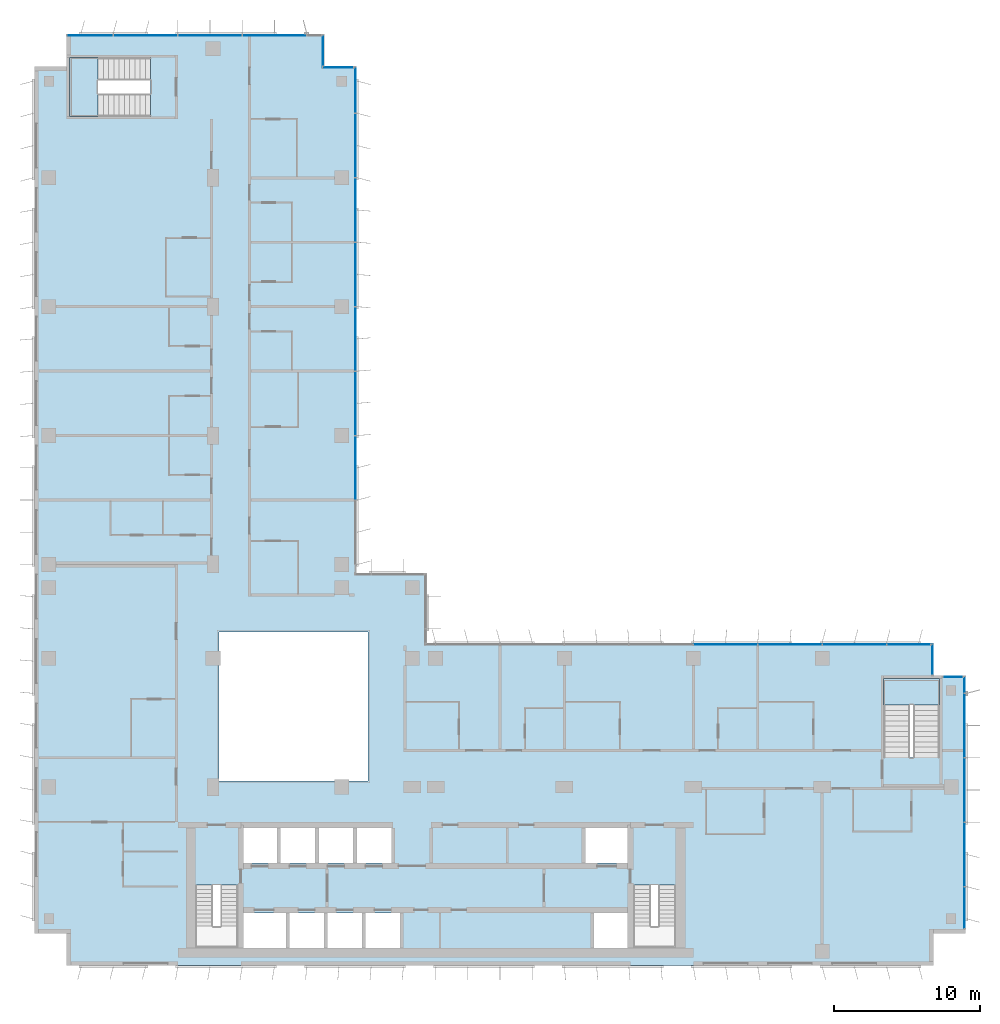
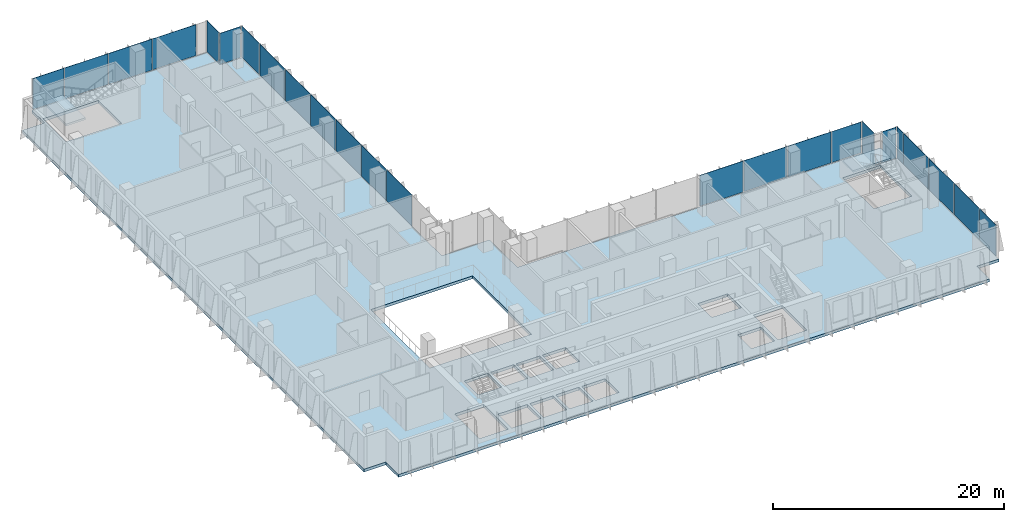
# One storey, part 11 of 21: 24 plates, 3 slabs, 10 elements without a shape of their own.
"""IFC4 building model written with IfcOpenShell, lengths in metres."""

from ifc_helpers import new_model, si_unit, direction, frame, origin, origin_2d, place, context, subcontext, project, spatial, polyline, rectangle, outline, extrude, source, transform, mapped, material, layer, layer_set, type_object, element, aggregate, save


model = new_model("IFC4")

# Units and contexts
model_context = context("Model", 3, precision=1e-05, world=origin(), true_north=direction((0.0, 1.0)))
body_context = subcontext(model_context, "Body", "Model", "MODEL_VIEW")
ifc_project = project(units=[si_unit("LENGTHUNIT", "METRE"), si_unit("AREAUNIT", "SQUARE_METRE"), si_unit("VOLUMEUNIT", "CUBIC_METRE"), si_unit("PLANEANGLEUNIT", "RADIAN"), si_unit("MASSUNIT", "GRAM", prefix="KILO")], contexts=[model_context])

# Site, building, storey
site_placement = place(None, origin())
site = spatial("IfcSite", under=ifc_project, at=site_placement, CompositionType="ELEMENT")
building_placement = place(site_placement, origin())
building = spatial("IfcBuilding", under=site, at=building_placement, Name="Kemantara Hotel Tower", CompositionType="ELEMENT")
storey_placement = place(building_placement, frame((0.0, 0.0, 164.199951171875)))
storey = spatial("IfcBuildingStorey", under=building, at=storey_placement, Name="L40", CompositionType="ELEMENT", Elevation=164.199951171875)

# Slab
ifc_material_1 = material(Name="Concrete fc 40 MPa", Category="concrete")
ifc_layer_1 = layer(ifc_material_1, 0.300048828125)
ifc_layer_set_1 = layer_set([ifc_layer_1], Name="Concrete fc 40 MPa")
slab_type_1 = type_object("IfcSlabType", Name="POST-TENSIONED FLAT PLATE 300", PredefinedType="FLOOR", material=ifc_layer_set_1)
slab_1_placement = place(storey_placement, frame((0.0, 0.0, -0.300048828125)))
element("IfcSlab", 1, at=slab_1_placement, inside=storey, type_object=slab_type_1, Name="FLOOR SLAB L40", PredefinedType="FLOOR", context=body_context, shape_type="SweptSolid", body=[
    extrude(outline(polyline([(22.0, 26.800048828125), (22.0, 61.39990234375), (19.800048828125, 61.39990234375), (19.800048828125, 63.60009765625), (2.199951171875, 63.60009765625), (2.199951171875, 61.39990234375), (0.0, 61.39990234375), (0.0, 2.199951171875), (2.199951171875, 2.199951171875), (2.199951171875, 0.0), (61.39990234375, 0.0), (61.39990234375, 2.199951171875), (63.60009765625, 2.199951171875), (63.60009765625, 19.800048828125), (61.39990234375, 19.800048828125), (61.39990234375, 22.0), (26.800048828125, 22.0), (26.800048828125, 26.800048828125), (22.0, 26.800048828125)]), holes=[polyline([(17.175048828125, 3.60009765625), (17.175048828125, 1.199951171875), (14.22509765625, 1.199951171875), (14.22509765625, 3.60009765625), (17.175048828125, 3.60009765625)]), polyline([(19.77490234375, 1.199951171875), (17.425048828125, 1.199951171875), (17.425048828125, 3.60009765625), (19.77490234375, 3.60009765625), (19.77490234375, 1.199951171875)]), polyline([(11.0, 1.199951171875), (11.0, 5.49951171875), (13.89990234375, 5.49951171875), (13.89990234375, 1.199951171875), (11.0, 1.199951171875)]), polyline([(16.574951171875, 7.0), (14.22509765625, 7.0), (14.22509765625, 9.39990234375), (16.574951171875, 9.39990234375), (16.574951171875, 7.0)]), polyline([(19.175048828125, 7.0), (16.824951171875, 7.0), (16.824951171875, 9.39990234375), (19.175048828125, 9.39990234375), (19.175048828125, 7.0)]), polyline([(21.77490234375, 7.0), (19.425048828125, 7.0), (19.425048828125, 9.39990234375), (21.77490234375, 9.39990234375), (21.77490234375, 7.0)]), polyline([(22.800048828125, 12.60009765625), (12.60009765625, 12.60009765625), (12.60009765625, 22.800048828125), (22.800048828125, 22.800048828125), (22.800048828125, 12.60009765625)]), polyline([(2.39990234375, 62.0), (7.949462890625, 62.0), (7.949462890625, 58.0), (2.39990234375, 58.0), (2.39990234375, 62.0)]), polyline([(22.375, 1.199951171875), (20.02490234375, 1.199951171875), (20.02490234375, 3.60009765625), (22.375, 3.60009765625), (22.375, 1.199951171875)]), polyline([(24.97509765625, 1.199951171875), (22.625, 1.199951171875), (22.625, 3.60009765625), (24.97509765625, 3.60009765625), (24.97509765625, 1.199951171875)]), polyline([(40.574951171875, 1.199951171875), (38.22509765625, 1.199951171875), (38.22509765625, 3.60009765625), (40.574951171875, 3.60009765625), (40.574951171875, 1.199951171875)]), polyline([(40.89990234375, 1.199951171875), (40.89990234375, 5.49951171875), (43.800048828125, 5.49951171875), (43.800048828125, 1.199951171875), (40.89990234375, 1.199951171875)]), polyline([(24.375, 7.0), (22.02490234375, 7.0), (22.02490234375, 9.39990234375), (24.375, 9.39990234375), (24.375, 7.0)]), polyline([(40.574951171875, 7.0), (37.625, 7.0), (37.625, 9.39990234375), (40.574951171875, 9.39990234375), (40.574951171875, 7.0)]), polyline([(61.800048828125, 19.60009765625), (61.800048828125, 14.20068359375), (58.0, 14.20068359375), (58.0, 19.60009765625), (61.800048828125, 19.60009765625)])]), origin(), (0.0, 0.0, 1.0), 0.300048828125),
])

# Stair, slab
stair_type_1 = type_object("IfcStairType", Name="Stair 1800 wide 22 risers of 168 x 360 mm", PredefinedType="HALF_TURN_STAIR", material=ifc_material_1)
stair_1_placement = place(storey_placement, origin())
stair_1 = element("IfcStair", 2, at=stair_1_placement, inside=storey, type_object=stair_type_1, Name="L40 Exit stair ST3", PredefinedType="HALF_TURN_STAIR")
ifc_layer_2 = layer(ifc_material_1, 0.199951171875)
ifc_layer_set_2 = layer_set([ifc_layer_2], Name="Concrete fc 40 MPa")
slab_type_2 = type_object("IfcSlabType", Name="Stair landing 200 mm", PredefinedType="LANDING", material=ifc_layer_set_2)
slab_2_placement = place(storey_placement, frame((0.0, 0.0, 1.650146484375)))
slab_2 = element("IfcSlab", 3, at=slab_2_placement, type_object=slab_type_2, Name="ST3 landing 1", PredefinedType="LANDING", context=body_context, shape_type="SweptSolid", body=[
    extrude(outline(polyline([(61.800048828125, 17.800048828125), (61.800048828125, 19.60009765625), (58.0, 19.60009765625), (58.0, 17.800048828125), (61.800048828125, 17.800048828125)])), origin(), (0.0, 0.0, 1.0), 0.199951171875),
])
aggregate(stair_1, [slab_2])

stair_type_2 = type_object("IfcStairType", Name="Stair 1550 wide 22 risers of 168 x 360 mm", PredefinedType="HALF_TURN_STAIR", material=ifc_material_1)
stair_2_placement = place(storey_placement, origin())
stair_2 = element("IfcStair", 4, at=stair_2_placement, inside=storey, type_object=stair_type_2, Name="L40 Exit stair ST4", PredefinedType="HALF_TURN_STAIR")
slab_3_placement = place(storey_placement, frame((0.0, 0.0, 1.650146484375)))
slab_3 = element("IfcSlab", 5, at=slab_3_placement, type_object=slab_type_2, Name="ST4 landing 1", PredefinedType="LANDING", context=body_context, shape_type="SweptSolid", body=[
    extrude(outline(polyline([(4.35009765625, 62.0), (2.39990234375, 62.0), (2.39990234375, 58.0), (4.35009765625, 58.0), (4.35009765625, 62.0)])), origin(), (0.0, 0.0, 1.0), 0.199951171875),
])
aggregate(stair_2, [slab_3])

# Curtain wall, plate
ifc_material_2 = material(Name="Low-E tinted double insulated glass 36 mm", Category="glass")
curtain_wall_type = type_object("IfcCurtainWallType", Name="TOWER CURTAIN WALL, FRONT FACES", PredefinedType="USERDEFINED", material=ifc_material_2)
curtain_wall_1_placement = place(storey_placement, origin())
curtain_wall_1 = element("IfcCurtainWall", 6, at=curtain_wall_1_placement, inside=storey, type_object=curtain_wall_type, Name="CW4 L40 T3-R11-1", ObjectType="TOWER CURTAIN WALL, FRONT FACES", PredefinedType="USERDEFINED")
ifc_layer_3 = layer(ifc_material_2, 0.035888671875)
ifc_layer_set_3 = layer_set([ifc_layer_3], Name="Low-E tinted double insulated glass 36 mm")
plate_type = type_object("IfcPlateType", Name="TOWER CURTAIN WALL, FRONT FACES PANEL", PredefinedType="CURTAIN_PANEL", material=ifc_layer_set_3)
shared_shape_1 = source(origin(), body_context, "Body", "SweptSolid", [
    extrude(rectangle(XDim=2.81005859375, YDim=0.035888671875, at=origin_2d()), origin(), (0.0, 0.0, 1.0), 3.280029296875),
])
plate_1_placement = place(storey_placement, frame((63.52490234375, 3.965087890625, 0.1201171875), z_axis=(0.0, 0.0, 1.0), x_axis=(0.0, 1.0, 0.0)))
plate_1 = element("IfcPlate", 7, at=plate_1_placement, type_object=plate_type, Name="CW4 glass panel T3-R11-1.1", PredefinedType="CURTAIN_PANEL", context=body_context, shape_type="MappedRepresentation", body=[
    mapped(shared_shape_1, transform((0.0, 0.0, 0.0))),
])

# Curtain wall, plates
curtain_wall_2_placement = place(storey_placement, origin())
curtain_wall_2 = element("IfcCurtainWall", 8, at=curtain_wall_2_placement, inside=storey, type_object=curtain_wall_type, Name="CW4 L40 T3-R02-1", ObjectType="TOWER CURTAIN WALL, FRONT FACES", PredefinedType="USERDEFINED")
shared_shape_2 = source(origin(), body_context, "Body", "SweptSolid", [
    extrude(rectangle(XDim=4.340087890625, YDim=0.035888671875, at=origin_2d()), origin(), (0.0, 0.0, 1.0), 3.280029296875),
])
plate_2_placement = place(storey_placement, frame((16.39990234375, 63.52490234375, 0.1201171875), z_axis=(0.0, 0.0, 1.0), x_axis=(-1.0, 0.0, 0.0)))
plate_2 = element("IfcPlate", 9, at=plate_2_placement, type_object=plate_type, Name="CW4 glass panel T3-R02-1.2", PredefinedType="CURTAIN_PANEL", context=body_context, shape_type="MappedRepresentation", body=[
    mapped(shared_shape_2, transform((0.0, 0.0, 0.0))),
])
plate_3_placement = place(storey_placement, frame((12.0, 63.52490234375, 0.1201171875), z_axis=(0.0, 0.0, 1.0), x_axis=(-1.0, 0.0, 0.0)))
plate_3 = element("IfcPlate", 10, at=plate_3_placement, type_object=plate_type, Name="CW4 glass panel T3-R02-1.3", PredefinedType="CURTAIN_PANEL", context=body_context, shape_type="MappedRepresentation", body=[
    mapped(shared_shape_2, transform((0.0, 0.0, 0.0))),
])
plate_4_placement = place(storey_placement, frame((7.60009765625, 63.52490234375, 0.1201171875), z_axis=(0.0, 0.0, 1.0), x_axis=(-1.0, 0.0, 0.0)))
plate_4 = element("IfcPlate", 11, at=plate_4_placement, type_object=plate_type, Name="CW4 glass panel T3-R02-1.4", PredefinedType="CURTAIN_PANEL", context=body_context, shape_type="MappedRepresentation", body=[
    mapped(shared_shape_2, transform((0.0, 0.0, 0.0))),
])

# Plate
plate_5_placement = place(storey_placement, frame((63.52490234375, 7.60009765625, 0.1201171875), z_axis=(0.0, 0.0, 1.0), x_axis=(0.0, 1.0, 0.0)))
plate_5 = element("IfcPlate", 12, at=plate_5_placement, type_object=plate_type, Name="CW4 glass panel T3-R11-1.2", PredefinedType="CURTAIN_PANEL", context=body_context, shape_type="MappedRepresentation", body=[
    mapped(shared_shape_2, transform((0.0, 0.0, 0.0))),
])

plate_6_placement = place(storey_placement, frame((63.52490234375, 12.0, 0.1201171875), z_axis=(0.0, 0.0, 1.0), x_axis=(0.0, 1.0, 0.0)))
plate_6 = element("IfcPlate", 13, at=plate_6_placement, type_object=plate_type, Name="CW4 glass panel T3-R11-1.3", PredefinedType="CURTAIN_PANEL", context=body_context, shape_type="MappedRepresentation", body=[
    mapped(shared_shape_2, transform((0.0, 0.0, 0.0))),
])

plate_7_placement = place(storey_placement, frame((63.52490234375, 16.39990234375, 0.1201171875), z_axis=(0.0, 0.0, 1.0), x_axis=(0.0, 1.0, 0.0)))
plate_7 = element("IfcPlate", 14, at=plate_7_placement, type_object=plate_type, Name="CW4 glass panel T3-R11-1.4", PredefinedType="CURTAIN_PANEL", context=body_context, shape_type="MappedRepresentation", body=[
    mapped(shared_shape_2, transform((0.0, 0.0, 0.0))),
])

# Curtain wall, plates
curtain_wall_3_placement = place(storey_placement, origin())
curtain_wall_3 = element("IfcCurtainWall", 15, at=curtain_wall_3_placement, inside=storey, type_object=curtain_wall_type, Name="CW4 L40 T3-R14-1", ObjectType="TOWER CURTAIN WALL, FRONT FACES", PredefinedType="USERDEFINED")
plate_8_placement = place(storey_placement, frame((56.0, 21.925048828125, 0.1201171875), z_axis=(0.0, 0.0, 1.0), x_axis=(-1.0, 0.0, 0.0)))
plate_8 = element("IfcPlate", 16, at=plate_8_placement, type_object=plate_type, Name="CW4 glass panel T3-R14-1.2", PredefinedType="CURTAIN_PANEL", context=body_context, shape_type="MappedRepresentation", body=[
    mapped(shared_shape_2, transform((0.0, 0.0, 0.0))),
])
plate_9_placement = place(storey_placement, frame((51.60009765625, 21.925048828125, 0.1201171875), z_axis=(0.0, 0.0, 1.0), x_axis=(-1.0, 0.0, 0.0)))
plate_9 = element("IfcPlate", 17, at=plate_9_placement, type_object=plate_type, Name="CW4 glass panel T3-R14-1.3", PredefinedType="CURTAIN_PANEL", context=body_context, shape_type="MappedRepresentation", body=[
    mapped(shared_shape_2, transform((0.0, 0.0, 0.0))),
])
plate_10_placement = place(storey_placement, frame((47.199951171875, 21.925048828125, 0.1201171875), z_axis=(0.0, 0.0, 1.0), x_axis=(-1.0, 0.0, 0.0)))
plate_10 = element("IfcPlate", 18, at=plate_10_placement, type_object=plate_type, Name="CW4 glass panel T3-R14-1.4", PredefinedType="CURTAIN_PANEL", context=body_context, shape_type="MappedRepresentation", body=[
    mapped(shared_shape_2, transform((0.0, 0.0, 0.0))),
])

curtain_wall_4_placement = place(storey_placement, origin())
curtain_wall_4 = element("IfcCurtainWall", 19, at=curtain_wall_4_placement, inside=storey, type_object=curtain_wall_type, Name="CW4 L40 T3-R17-1", ObjectType="TOWER CURTAIN WALL, FRONT FACES", PredefinedType="USERDEFINED")
plate_11_placement = place(storey_placement, frame((21.925048828125, 34.0, 0.1201171875), z_axis=(0.0, 0.0, 1.0), x_axis=(0.0, 1.0, 0.0)))
plate_11 = element("IfcPlate", 20, at=plate_11_placement, type_object=plate_type, Name="CW4 glass panel T3-R17-1.3", PredefinedType="CURTAIN_PANEL", context=body_context, shape_type="MappedRepresentation", body=[
    mapped(shared_shape_2, transform((0.0, 0.0, 0.0))),
])
plate_12_placement = place(storey_placement, frame((21.925048828125, 38.39990234375, 0.1201171875), z_axis=(0.0, 0.0, 1.0), x_axis=(0.0, 1.0, 0.0)))
plate_12 = element("IfcPlate", 21, at=plate_12_placement, type_object=plate_type, Name="CW4 glass panel T3-R17-1.4", PredefinedType="CURTAIN_PANEL", context=body_context, shape_type="MappedRepresentation", body=[
    mapped(shared_shape_2, transform((0.0, 0.0, 0.0))),
])
plate_13_placement = place(storey_placement, frame((21.925048828125, 42.800048828125, 0.1201171875), z_axis=(0.0, 0.0, 1.0), x_axis=(0.0, 1.0, 0.0)))
plate_13 = element("IfcPlate", 22, at=plate_13_placement, type_object=plate_type, Name="CW4 glass panel T3-R17-1.5", PredefinedType="CURTAIN_PANEL", context=body_context, shape_type="MappedRepresentation", body=[
    mapped(shared_shape_2, transform((0.0, 0.0, 0.0))),
])
plate_14_placement = place(storey_placement, frame((21.925048828125, 47.199951171875, 0.1201171875), z_axis=(0.0, 0.0, 1.0), x_axis=(0.0, 1.0, 0.0)))
plate_14 = element("IfcPlate", 23, at=plate_14_placement, type_object=plate_type, Name="CW4 glass panel T3-R17-1.6", PredefinedType="CURTAIN_PANEL", context=body_context, shape_type="MappedRepresentation", body=[
    mapped(shared_shape_2, transform((0.0, 0.0, 0.0))),
])
plate_15_placement = place(storey_placement, frame((21.925048828125, 51.60009765625, 0.1201171875), z_axis=(0.0, 0.0, 1.0), x_axis=(0.0, 1.0, 0.0)))
plate_15 = element("IfcPlate", 24, at=plate_15_placement, type_object=plate_type, Name="CW4 glass panel T3-R17-1.7", PredefinedType="CURTAIN_PANEL", context=body_context, shape_type="MappedRepresentation", body=[
    mapped(shared_shape_2, transform((0.0, 0.0, 0.0))),
])
plate_16_placement = place(storey_placement, frame((21.925048828125, 56.0, 0.1201171875), z_axis=(0.0, 0.0, 1.0), x_axis=(0.0, 1.0, 0.0)))
plate_16 = element("IfcPlate", 25, at=plate_16_placement, type_object=plate_type, Name="CW4 glass panel T3-R17-1.8", PredefinedType="CURTAIN_PANEL", context=body_context, shape_type="MappedRepresentation", body=[
    mapped(shared_shape_2, transform((0.0, 0.0, 0.0))),
])

# Plate
shared_shape_3 = source(origin(), body_context, "Body", "SweptSolid", [
    extrude(rectangle(XDim=3.110107421875, YDim=0.035888671875, at=origin_2d()), origin(), (0.0, 0.0, 1.0), 3.280029296875),
])
plate_17_placement = place(storey_placement, frame((3.81494140625, 63.52490234375, 0.1201171875), z_axis=(0.0, 0.0, 1.0), x_axis=(-1.0, 0.0, 0.0)))
plate_17 = element("IfcPlate", 26, at=plate_17_placement, type_object=plate_type, Name="CW4 glass panel T3-R02-1.5", PredefinedType="CURTAIN_PANEL", context=body_context, shape_type="MappedRepresentation", body=[
    mapped(shared_shape_3, transform((0.0, 0.0, 0.0))),
])

aggregate(curtain_wall_2, [plate_2, plate_3, plate_4, plate_17])

plate_18_placement = place(storey_placement, frame((21.925048828125, 59.784912109375, 0.1201171875), z_axis=(0.0, 0.0, 1.0), x_axis=(0.0, 1.0, 0.0)))
plate_18 = element("IfcPlate", 27, at=plate_18_placement, type_object=plate_type, Name="CW4 glass panel T3-R17-1.9", PredefinedType="CURTAIN_PANEL", context=body_context, shape_type="MappedRepresentation", body=[
    mapped(shared_shape_3, transform((0.0, 0.0, 0.0))),
])

aggregate(curtain_wall_4, [plate_11, plate_12, plate_13, plate_14, plate_15, plate_16, plate_18])

# Curtain wall, plate
curtain_wall_5_placement = place(storey_placement, origin())
curtain_wall_5 = element("IfcCurtainWall", 28, at=curtain_wall_5_placement, inside=storey, type_object=curtain_wall_type, Name="CW4 L40 T3-R00-1", ObjectType="TOWER CURTAIN WALL, FRONT FACES", PredefinedType="USERDEFINED")
shared_shape_4 = source(origin(), body_context, "Body", "SweptSolid", [
    extrude(rectangle(XDim=2.080078125, YDim=0.035888671875, at=origin_2d()), origin(), (0.0, 0.0, 1.0), 3.280029296875),
])
plate_19_placement = place(storey_placement, frame((20.75, 61.324951171875, 0.1201171875), z_axis=(0.0, 0.0, 1.0), x_axis=(-1.0, 0.0, 0.0)))
plate_19 = element("IfcPlate", 29, at=plate_19_placement, type_object=plate_type, Name="CW4 glass panel T3-R00-1.1", PredefinedType="CURTAIN_PANEL", context=body_context, shape_type="MappedRepresentation", body=[
    mapped(shared_shape_4, transform((0.0, 0.0, 0.0))),
])
aggregate(curtain_wall_5, [plate_19])

curtain_wall_6_placement = place(storey_placement, origin())
curtain_wall_6 = element("IfcCurtainWall", 30, at=curtain_wall_6_placement, inside=storey, type_object=curtain_wall_type, Name="CW4 L40 T3-R01-1", ObjectType="TOWER CURTAIN WALL, FRONT FACES", PredefinedType="USERDEFINED")
plate_20_placement = place(storey_placement, frame((19.72509765625, 62.5, 0.1201171875), z_axis=(0.0, 0.0, 1.0), x_axis=(0.0, 1.0, 0.0)))
plate_20 = element("IfcPlate", 31, at=plate_20_placement, type_object=plate_type, Name="CW4 glass panel T3-R01-1.1", PredefinedType="CURTAIN_PANEL", context=body_context, shape_type="MappedRepresentation", body=[
    mapped(shared_shape_4, transform((0.0, 0.0, 0.0))),
])
aggregate(curtain_wall_6, [plate_20])

curtain_wall_7_placement = place(storey_placement, origin())
curtain_wall_7 = element("IfcCurtainWall", 32, at=curtain_wall_7_placement, inside=storey, type_object=curtain_wall_type, Name="CW4 L40 T3-R13-1", ObjectType="TOWER CURTAIN WALL, FRONT FACES", PredefinedType="USERDEFINED")
plate_21_placement = place(storey_placement, frame((61.324951171875, 20.89990234375, 0.1201171875), z_axis=(0.0, 0.0, 1.0), x_axis=(0.0, 1.0, 0.0)))
plate_21 = element("IfcPlate", 33, at=plate_21_placement, type_object=plate_type, Name="CW4 glass panel T3-R13-1.1", PredefinedType="CURTAIN_PANEL", context=body_context, shape_type="MappedRepresentation", body=[
    mapped(shared_shape_4, transform((0.0, 0.0, 0.0))),
])
aggregate(curtain_wall_7, [plate_21])

# Plate
shared_shape_5 = source(origin(), body_context, "Body", "SweptSolid", [
    extrude(rectangle(XDim=2.9599609375, YDim=0.035888671875, at=origin_2d()), origin(), (0.0, 0.0, 1.0), 3.280029296875),
])
plate_22_placement = place(storey_placement, frame((59.7099609375, 21.925048828125, 0.1201171875), z_axis=(0.0, 0.0, 1.0), x_axis=(-1.0, 0.0, 0.0)))
plate_22 = element("IfcPlate", 34, at=plate_22_placement, type_object=plate_type, Name="CW4 glass panel T3-R14-1.1", PredefinedType="CURTAIN_PANEL", context=body_context, shape_type="MappedRepresentation", body=[
    mapped(shared_shape_5, transform((0.0, 0.0, 0.0))),
])

aggregate(curtain_wall_3, [plate_22, plate_8, plate_9, plate_10])

shared_shape_6 = source(origin(), body_context, "Body", "SweptSolid", [
    extrude(rectangle(XDim=1.110107421875, YDim=0.035888671875, at=origin_2d()), origin(), (0.0, 0.0, 1.0), 3.280029296875),
])
plate_23_placement = place(storey_placement, frame((63.52490234375, 19.18505859375, 0.1201171875), z_axis=(0.0, 0.0, 1.0), x_axis=(0.0, 1.0, 0.0)))
plate_23 = element("IfcPlate", 35, at=plate_23_placement, type_object=plate_type, Name="CW4 glass panel T3-R11-1.5", PredefinedType="CURTAIN_PANEL", context=body_context, shape_type="MappedRepresentation", body=[
    mapped(shared_shape_6, transform((0.0, 0.0, 0.0))),
])

aggregate(curtain_wall_1, [plate_1, plate_5, plate_6, plate_7, plate_23])

# Curtain wall, plate
curtain_wall_8_placement = place(storey_placement, origin())
curtain_wall_8 = element("IfcCurtainWall", 36, at=curtain_wall_8_placement, inside=storey, type_object=curtain_wall_type, Name="CW4 L40 T3-R12-1", ObjectType="TOWER CURTAIN WALL, FRONT FACES", PredefinedType="USERDEFINED")
shared_shape_7 = source(origin(), body_context, "Body", "SweptSolid", [
    extrude(rectangle(XDim=1.330078125, YDim=0.035888671875, at=origin_2d()), origin(), (0.0, 0.0, 1.0), 3.280029296875),
])
plate_24_placement = place(storey_placement, frame((62.72509765625, 19.72509765625, 0.1201171875), z_axis=(0.0, 0.0, 1.0), x_axis=(-1.0, 0.0, 0.0)))
plate_24 = element("IfcPlate", 37, at=plate_24_placement, type_object=plate_type, Name="CW4 glass panel T3-R12-1.1", PredefinedType="CURTAIN_PANEL", context=body_context, shape_type="MappedRepresentation", body=[
    mapped(shared_shape_7, transform((0.0, 0.0, 0.0))),
])
aggregate(curtain_wall_8, [plate_24])

save(model, "model.ifc")
